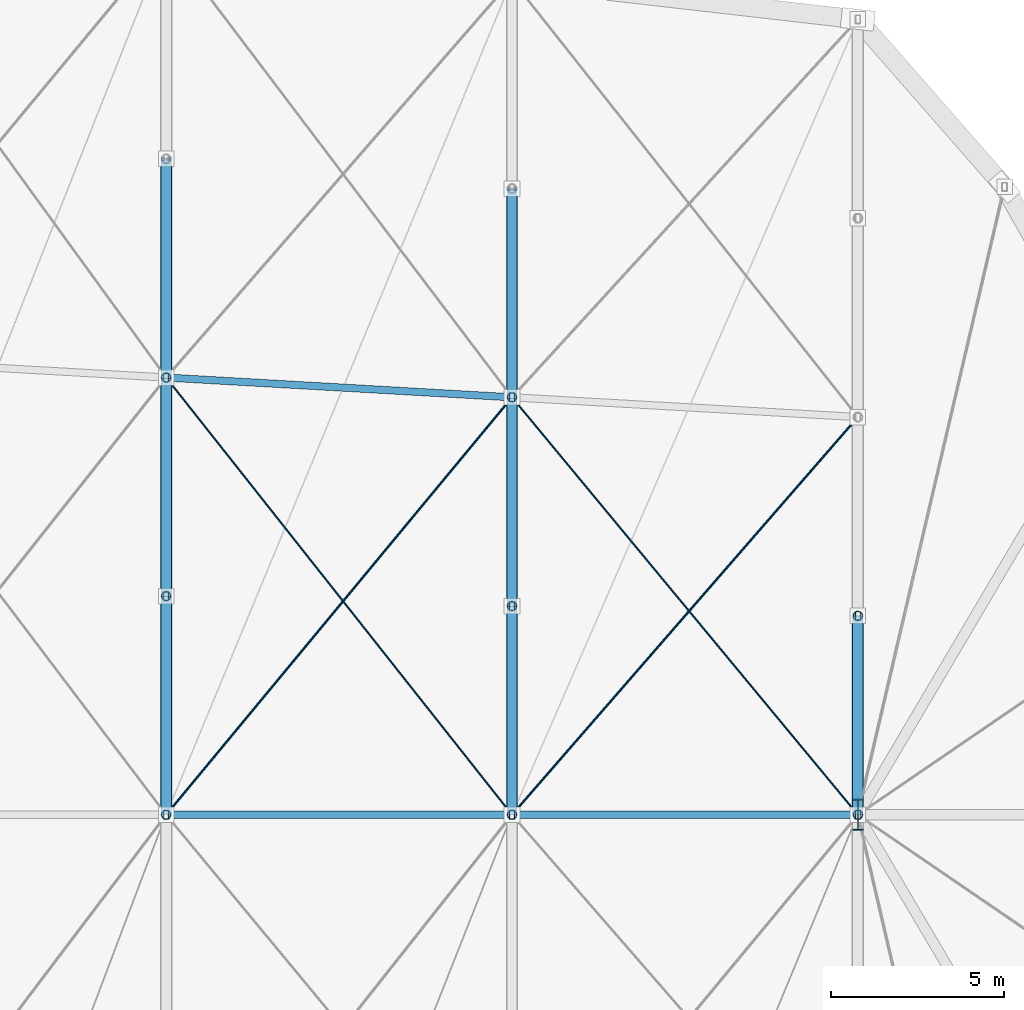
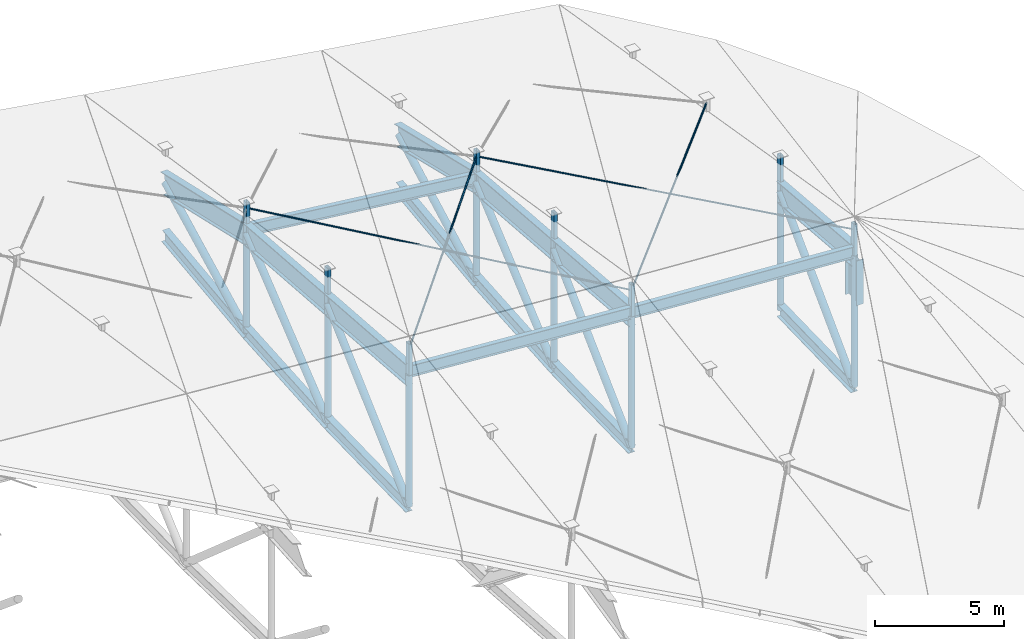
# One storey, part 30 of 68: 27 members, 18 beams.
"""IFC4 building model written with IfcOpenShell, lengths in metres."""

from ifc_helpers import new_model, si_unit, direction, frame, origin, origin_2d, place, context, subcontext, project, spatial, hollow_rectangle, circle, hollow_circle, i_section, extrude, material, material_profile, profile_set, type_object, element, save


model = new_model("IFC4")

# Units and contexts
model_context = context("Model", 3, precision=1e-05, world=origin(), true_north=direction((0.0, 1.0)))
body_context = subcontext(model_context, "Body", "Model", "MODEL_VIEW")
ifc_project = project(units=[si_unit("LENGTHUNIT", "METRE"), si_unit("AREAUNIT", "SQUARE_METRE"), si_unit("VOLUMEUNIT", "CUBIC_METRE"), si_unit("PLANEANGLEUNIT", "RADIAN"), si_unit("MASSUNIT", "GRAM", prefix="KILO")], contexts=[model_context])

# Site, building, storey
site_placement = place(None, origin())
site = spatial("IfcSite", under=ifc_project, at=site_placement, CompositionType="ELEMENT")
building_placement = place(site_placement, origin())
building = spatial("IfcBuilding", under=site, at=building_placement, Name="Sohan Crest Arena", CompositionType="ELEMENT")
storey_placement = place(building_placement, frame((0.0, 0.0, 27.0)))
storey = spatial("IfcBuildingStorey", under=building, at=storey_placement, Name="RF", CompositionType="ELEMENT", Elevation=27.0)

# Beams
ifc_material_1 = material(Name="Steel S355", Category="steel")
ifc_material_profile_1 = material_profile(ifc_material_1, i_section(OverallWidth=0.2099609375, OverallDepth=0.550048828125, WebThickness=0.010986328125, FlangeThickness=0.01708984375, at=origin_2d()), Name="IPE 550")
ifc_profile_set_1 = profile_set([ifc_material_profile_1], Name="Steel S355")
beam_type_1 = type_object("IfcBeamType", Name="STR-BM-B06", PredefinedType="BEAM", material=ifc_profile_set_1)
beam_1_placement = place(storey_placement, frame((148.0, 78.0, 1.202880859375), z_axis=(0.99752526217, 0.0, -0.070308970505), x_axis=(0.0, 1.0, 0.0)))
element("IfcBeam", 1, at=beam_1_placement, inside=storey, type_object=beam_type_1, Name="Structural beam RP-RF-3160", PredefinedType="BEAM", context=body_context, shape_type="SweptSolid", body=[
    extrude(i_section(OverallWidth=0.2099609375, OverallDepth=0.550048828125, WebThickness=0.010986328125, FlangeThickness=0.01708984375, at=origin_2d()), origin(), (0.0, 0.0, 1.0), 10.02490234375),
])
beam_2_placement = place(storey_placement, frame((148.0, 90.64306640625, 0.240966796875), z_axis=(0.995902297445, -0.056870494964, -0.07031614854), x_axis=(0.057011612604, 0.998373515288, 0.0)))
element("IfcBeam", 2, at=beam_2_placement, inside=storey, type_object=beam_type_1, Name="Structural beam RP-RF-3161", PredefinedType="BEAM", context=body_context, shape_type="SweptSolid", body=[
    extrude(i_section(OverallWidth=0.2099609375, OverallDepth=0.550048828125, WebThickness=0.010986328125, FlangeThickness=0.01708984375, at=origin_2d()), origin(), (0.0, 0.0, 1.0), 10.041259765625),
])
beam_3_placement = place(storey_placement, frame((158.0, 78.0, 0.498046875), z_axis=(0.998088817356, 0.0, -0.061795733418), x_axis=(0.0, 1.0, 0.0)))
element("IfcBeam", 3, at=beam_3_placement, inside=storey, type_object=beam_type_1, Name="Structural beam RP-RF-3163", PredefinedType="BEAM", context=body_context, shape_type="SweptSolid", body=[
    extrude(i_section(OverallWidth=0.2099609375, OverallDepth=0.550048828125, WebThickness=0.010986328125, FlangeThickness=0.01708984375, at=origin_2d()), origin(), (0.0, 0.0, 1.0), 10.01904296875),
])
ifc_material_profile_2 = material_profile(ifc_material_1, i_section(OverallWidth=0.300048828125, OverallDepth=0.60009765625, WebThickness=0.015380859375, FlangeThickness=0.030029296875, at=origin_2d()), Name="HEB 600")
ifc_profile_set_2 = profile_set([ifc_material_profile_2], Name="Steel S355")
beam_type_2 = type_object("IfcBeamType", Name="STR-BM-B15", PredefinedType="BEAM", material=ifc_profile_set_2)
beam_4_placement = place(storey_placement, frame((148.0, 78.0, -5.20703125), z_axis=(0.0, 0.999718093734, 0.023743063435), x_axis=(-1.0, 0.0, 0.0)))
element("IfcBeam", 4, at=beam_4_placement, inside=storey, type_object=beam_type_2, Name="Structural beam RAB-RF-3105", PredefinedType="BEAM", context=body_context, shape_type="SweptSolid", body=[
    extrude(i_section(OverallWidth=0.300048828125, OverallDepth=0.60009765625, WebThickness=0.015380859375, FlangeThickness=0.030029296875, at=origin_2d()), origin(), (0.0, 0.0, 1.0), 6.32373046875),
])
beam_5_placement = place(storey_placement, frame((148.0, 84.322021484375, -5.056884765625), z_axis=(0.0, 0.997476075204, 0.071003375945), x_axis=(-1.0, 0.0, 0.0)))
element("IfcBeam", 5, at=beam_5_placement, inside=storey, type_object=beam_type_2, Name="Structural beam RAB-RF-3107", PredefinedType="BEAM", context=body_context, shape_type="SweptSolid", body=[
    extrude(i_section(OverallWidth=0.300048828125, OverallDepth=0.60009765625, WebThickness=0.015380859375, FlangeThickness=0.030029296875, at=origin_2d()), origin(), (0.0, 0.0, 1.0), 6.337158203125),
])
beam_6_placement = place(storey_placement, frame((148.0, 90.64306640625, -4.60693359375), z_axis=(0.0, 0.993036528828, 0.117806843659), x_axis=(-1.0, 0.0, 0.0)))
element("IfcBeam", 6, at=beam_6_placement, inside=storey, type_object=beam_type_2, Name="Structural beam RAB-RF-3109", PredefinedType="BEAM", context=body_context, shape_type="SweptSolid", body=[
    extrude(i_section(OverallWidth=0.300048828125, OverallDepth=0.60009765625, WebThickness=0.015380859375, FlangeThickness=0.030029296875, at=origin_2d()), origin(), (0.0, 0.0, 1.0), 6.366455078125),
])
beam_7_placement = place(storey_placement, frame((158.0, 78.0, -5.912109375), z_axis=(0.0, 0.999690745235, 0.024867928986), x_axis=(-1.0, 0.0, 0.0)))
element("IfcBeam", 7, at=beam_7_placement, inside=storey, type_object=beam_type_2, Name="Structural beam RAB-RF-3121", PredefinedType="BEAM", context=body_context, shape_type="SweptSolid", body=[
    extrude(i_section(OverallWidth=0.300048828125, OverallDepth=0.60009765625, WebThickness=0.015380859375, FlangeThickness=0.030029296875, at=origin_2d()), origin(), (0.0, 0.0, 1.0), 6.037841796875),
])
beam_8_placement = place(storey_placement, frame((158.0, 84.035888671875, -5.761962890625), z_axis=(0.0, 0.997233199276, 0.074336708715), x_axis=(-1.0, 0.0, 0.0)))
element("IfcBeam", 8, at=beam_8_placement, inside=storey, type_object=beam_type_2, Name="Structural beam RAB-RF-3123", PredefinedType="BEAM", context=body_context, shape_type="SweptSolid", body=[
    extrude(i_section(OverallWidth=0.300048828125, OverallDepth=0.60009765625, WebThickness=0.015380859375, FlangeThickness=0.030029296875, at=origin_2d()), origin(), (0.0, 0.0, 1.0), 6.052978515625),
])
beam_9_placement = place(storey_placement, frame((158.0, 90.072021484375, -5.31201171875), z_axis=(0.0, 0.992365946083, 0.1233281357), x_axis=(-1.0, 0.0, 0.0)))
element("IfcBeam", 9, at=beam_9_placement, inside=storey, type_object=beam_type_2, Name="Structural beam RAB-RF-3125", PredefinedType="BEAM", context=body_context, shape_type="SweptSolid", body=[
    extrude(i_section(OverallWidth=0.300048828125, OverallDepth=0.60009765625, WebThickness=0.015380859375, FlangeThickness=0.030029296875, at=origin_2d()), origin(), (0.0, 0.0, 1.0), 6.081298828125),
])
beam_10_placement = place(storey_placement, frame((168.0, 78.0, -6.531005859375), z_axis=(0.0, 0.999660351379, 0.026061118196), x_axis=(-1.0, 0.0, 0.0)))
element("IfcBeam", 10, at=beam_10_placement, inside=storey, type_object=beam_type_2, Name="Structural beam RAB-RF-3137", PredefinedType="BEAM", context=body_context, shape_type="SweptSolid", body=[
    extrude(i_section(OverallWidth=0.300048828125, OverallDepth=0.60009765625, WebThickness=0.015380859375, FlangeThickness=0.030029296875, at=origin_2d()), origin(), (0.0, 0.0, 1.0), 5.751953125),
])
ifc_material_profile_3 = material_profile(ifc_material_1, i_section(OverallWidth=0.300048828125, OverallDepth=0.89990234375, WebThickness=0.0185546875, FlangeThickness=0.034912109375, at=origin_2d()), Name="HEB 900")
ifc_profile_set_3 = profile_set([ifc_material_profile_3], Name="Steel S355")
beam_type_3 = type_object("IfcBeamType", Name="STR-BM-B18", PredefinedType="BEAM", material=ifc_profile_set_3)
beam_11_placement = place(storey_placement, frame((168.0, 78.0, -0.281005859375), z_axis=(0.0, 0.0, -1.0), x_axis=(1.0, 0.0, 0.0)))
element("IfcBeam", 11, at=beam_11_placement, inside=storey, type_object=beam_type_3, Name="Structural beam RP-RF-3166", PredefinedType="BEAM", context=body_context, shape_type="SweptSolid", body=[
    extrude(i_section(OverallWidth=0.300048828125, OverallDepth=0.89990234375, WebThickness=0.0185546875, FlangeThickness=0.034912109375, at=origin_2d()), origin(), (0.0, 0.0, 1.0), 2.1240234375),
])
ifc_material_profile_4 = material_profile(ifc_material_1, i_section(OverallWidth=0.300048828125, OverallDepth=1.0, WebThickness=0.01904296875, FlangeThickness=0.035888671875, at=origin_2d()), Name="HEB 1000")
ifc_profile_set_4 = profile_set([ifc_material_profile_4], Name="Steel S355")
beam_type_4 = type_object("IfcBeamType", Name="STR-BM-B19", PredefinedType="BEAM", material=ifc_profile_set_4)
beam_12_placement = place(storey_placement, frame((148.0, 78.0, 1.04296875), z_axis=(0.0, 0.997118686878, -0.075857262528), x_axis=(-1.0, 0.0, 0.0)))
element("IfcBeam", 12, at=beam_12_placement, inside=storey, type_object=beam_type_4, Name="Structural beam RA-RF-3104", PredefinedType="BEAM", context=body_context, shape_type="SweptSolid", body=[
    extrude(i_section(OverallWidth=0.300048828125, OverallDepth=1.0, WebThickness=0.01904296875, FlangeThickness=0.035888671875, at=origin_2d()), origin(), (0.0, 0.0, 1.0), 6.34033203125),
])
beam_13_placement = place(storey_placement, frame((148.0, 84.322021484375, 0.56201171875), z_axis=(0.0, 0.997117800365, -0.075868914554), x_axis=(-1.0, 0.0, 0.0)))
element("IfcBeam", 13, at=beam_13_placement, inside=storey, type_object=beam_type_4, Name="Structural beam RA-RF-3106", PredefinedType="BEAM", context=body_context, shape_type="SweptSolid", body=[
    extrude(i_section(OverallWidth=0.300048828125, OverallDepth=1.0, WebThickness=0.01904296875, FlangeThickness=0.035888671875, at=origin_2d()), origin(), (0.0, 0.0, 1.0), 6.33935546875),
])
beam_14_placement = place(storey_placement, frame((148.0, 90.64306640625, 0.0810546875), z_axis=(0.0, 0.974890040353, -0.222686796242), x_axis=(-1.0, 0.0, 0.0)))
element("IfcBeam", 14, at=beam_14_placement, inside=storey, type_object=beam_type_4, Name="Structural beam RA-RF-3108", PredefinedType="BEAM", context=body_context, shape_type="SweptSolid", body=[
    extrude(i_section(OverallWidth=0.300048828125, OverallDepth=1.0, WebThickness=0.01904296875, FlangeThickness=0.035888671875, at=origin_2d()), origin(), (0.0, 0.0, 1.0), 6.48486328125),
])
beam_15_placement = place(storey_placement, frame((158.0, 78.0, 0.337890625), z_axis=(0.0, 0.996840357161, -0.07943111692), x_axis=(-1.0, 0.0, 0.0)))
element("IfcBeam", 15, at=beam_15_placement, inside=storey, type_object=beam_type_4, Name="Structural beam RA-RF-3120", PredefinedType="BEAM", context=body_context, shape_type="SweptSolid", body=[
    extrude(i_section(OverallWidth=0.300048828125, OverallDepth=1.0, WebThickness=0.01904296875, FlangeThickness=0.035888671875, at=origin_2d()), origin(), (0.0, 0.0, 1.0), 6.054931640625),
])
beam_16_placement = place(storey_placement, frame((158.0, 84.035888671875, -0.14306640625), z_axis=(0.0, 0.996827829556, -0.079588178917), x_axis=(-1.0, 0.0, 0.0)))
element("IfcBeam", 16, at=beam_16_placement, inside=storey, type_object=beam_type_4, Name="Structural beam RA-RF-3122", PredefinedType="BEAM", context=body_context, shape_type="SweptSolid", body=[
    extrude(i_section(OverallWidth=0.300048828125, OverallDepth=1.0, WebThickness=0.01904296875, FlangeThickness=0.035888671875, at=origin_2d()), origin(), (0.0, 0.0, 1.0), 6.055419921875),
])
beam_17_placement = place(storey_placement, frame((158.0, 90.072021484375, -0.625), z_axis=(0.0, 0.972552384533, -0.232684033269), x_axis=(-1.0, 0.0, 0.0)))
element("IfcBeam", 17, at=beam_17_placement, inside=storey, type_object=beam_type_4, Name="Structural beam RA-RF-3124", PredefinedType="BEAM", context=body_context, shape_type="SweptSolid", body=[
    extrude(i_section(OverallWidth=0.300048828125, OverallDepth=1.0, WebThickness=0.01904296875, FlangeThickness=0.035888671875, at=origin_2d()), origin(), (0.0, 0.0, 1.0), 6.206298828125),
])
beam_18_placement = place(storey_placement, frame((168.0, 78.0, -0.281005859375), z_axis=(0.0, 0.996520031911, -0.083353620196), x_axis=(-1.0, 0.0, 0.0)))
element("IfcBeam", 18, at=beam_18_placement, inside=storey, type_object=beam_type_4, Name="Structural beam RA-RF-3136", PredefinedType="BEAM", context=body_context, shape_type="SweptSolid", body=[
    extrude(i_section(OverallWidth=0.300048828125, OverallDepth=1.0, WebThickness=0.01904296875, FlangeThickness=0.035888671875, at=origin_2d()), origin(), (0.0, 0.0, 1.0), 5.77001953125),
])

# Members
ifc_material_profile_5 = material_profile(ifc_material_1, hollow_circle(Radius=0.136474609375, WallThickness=0.012451171875, at=origin_2d()), Name="CHS 273x12.5")
ifc_profile_set_5 = profile_set([ifc_material_profile_5], Name="Steel S355")
member_type_1 = type_object("IfcMemberType", Name="STR-MEM-BR02", PredefinedType="BRACE", material=ifc_profile_set_5)
member_1_placement = place(storey_placement, frame((148.0, 78.0, -5.20703125), z_axis=(0.0, 0.0, 1.0), x_axis=(1.0, 0.0, 0.0)))
element("IfcMember", 19, at=member_1_placement, inside=storey, type_object=member_type_1, Name="Lenticular roof truss web strut TW-197", PredefinedType="BRACE", context=body_context, shape_type="SweptSolid", body=[
    extrude(hollow_circle(Radius=0.136474609375, WallThickness=0.012451171875, at=origin_2d()), origin(), (0.0, 0.0, 1.0), 6.25),
])
member_2_placement = place(storey_placement, frame((148.0, 84.322021484375, -5.056884765625), z_axis=(0.0, 0.0, 1.0), x_axis=(1.0, 0.0, 0.0)))
element("IfcMember", 20, at=member_2_placement, inside=storey, type_object=member_type_1, Name="Lenticular roof truss web strut TW-199", PredefinedType="BRACE", context=body_context, shape_type="SweptSolid", body=[
    extrude(hollow_circle(Radius=0.136474609375, WallThickness=0.012451171875, at=origin_2d()), origin(), (0.0, 0.0, 1.0), 5.618896484375),
])
member_3_placement = place(storey_placement, frame((148.0, 90.64306640625, -4.60693359375), z_axis=(0.0, 0.0, 1.0), x_axis=(1.0, 0.0, 0.0)))
element("IfcMember", 21, at=member_3_placement, inside=storey, type_object=member_type_1, Name="Lenticular roof truss web strut TW-201", PredefinedType="BRACE", context=body_context, shape_type="SweptSolid", body=[
    extrude(hollow_circle(Radius=0.136474609375, WallThickness=0.012451171875, at=origin_2d()), origin(), (0.0, 0.0, 1.0), 4.68798828125),
])
member_4_placement = place(storey_placement, frame((158.0, 78.0, -5.912109375), z_axis=(0.0, 0.0, 1.0), x_axis=(1.0, 0.0, 0.0)))
element("IfcMember", 22, at=member_4_placement, inside=storey, type_object=member_type_1, Name="Lenticular roof truss web strut TW-221", PredefinedType="BRACE", context=body_context, shape_type="SweptSolid", body=[
    extrude(hollow_circle(Radius=0.136474609375, WallThickness=0.012451171875, at=origin_2d()), origin(), (0.0, 0.0, 1.0), 6.25),
])
member_5_placement = place(storey_placement, frame((158.0, 84.035888671875, -5.761962890625), z_axis=(0.0, 0.0, 1.0), x_axis=(1.0, 0.0, 0.0)))
element("IfcMember", 23, at=member_5_placement, inside=storey, type_object=member_type_1, Name="Lenticular roof truss web strut TW-223", PredefinedType="BRACE", context=body_context, shape_type="SweptSolid", body=[
    extrude(hollow_circle(Radius=0.136474609375, WallThickness=0.012451171875, at=origin_2d()), origin(), (0.0, 0.0, 1.0), 5.618896484375),
])
member_6_placement = place(storey_placement, frame((158.0, 90.072021484375, -5.31201171875), z_axis=(0.0, 0.0, 1.0), x_axis=(1.0, 0.0, 0.0)))
element("IfcMember", 24, at=member_6_placement, inside=storey, type_object=member_type_1, Name="Lenticular roof truss web strut TW-225", PredefinedType="BRACE", context=body_context, shape_type="SweptSolid", body=[
    extrude(hollow_circle(Radius=0.136474609375, WallThickness=0.012451171875, at=origin_2d()), origin(), (0.0, 0.0, 1.0), 4.68701171875),
])
member_7_placement = place(storey_placement, frame((168.0, 78.0, -6.531005859375), z_axis=(0.0, 0.0, 1.0), x_axis=(1.0, 0.0, 0.0)))
element("IfcMember", 25, at=member_7_placement, inside=storey, type_object=member_type_1, Name="Lenticular roof truss web strut TW-245", PredefinedType="BRACE", context=body_context, shape_type="SweptSolid", body=[
    extrude(hollow_circle(Radius=0.136474609375, WallThickness=0.012451171875, at=origin_2d()), origin(), (0.0, 0.0, 1.0), 6.25),
])
member_8_placement = place(storey_placement, frame((168.0, 83.75, -6.381103515625), z_axis=(0.0, 0.0, 1.0), x_axis=(1.0, 0.0, 0.0)))
element("IfcMember", 26, at=member_8_placement, inside=storey, type_object=member_type_1, Name="Lenticular roof truss web strut TW-247", PredefinedType="BRACE", context=body_context, shape_type="SweptSolid", body=[
    extrude(hollow_circle(Radius=0.136474609375, WallThickness=0.012451171875, at=origin_2d()), origin(), (0.0, 0.0, 1.0), 5.619140625),
])
ifc_material_profile_6 = material_profile(ifc_material_1, hollow_circle(Radius=0.161865234375, WallThickness=0.012451171875, at=origin_2d()), Name="CHS 323.9x12.5")
ifc_profile_set_6 = profile_set([ifc_material_profile_6], Name="Steel S355")
member_type_2 = type_object("IfcMemberType", Name="STR-MEM-BR03", PredefinedType="BRACE", material=ifc_profile_set_6)
member_9_placement = place(storey_placement, frame((148.0, 78.0, -5.20703125), z_axis=(0.0, 0.738673823167, 0.674063040797), x_axis=(-1.0, 0.0, 0.0)))
element("IfcMember", 27, at=member_9_placement, inside=storey, type_object=member_type_2, Name="Lenticular roof truss web diagonal TD-198", PredefinedType="BRACE", context=body_context, shape_type="SweptSolid", body=[
    extrude(hollow_circle(Radius=0.161865234375, WallThickness=0.012451171875, at=origin_2d()), origin(), (0.0, 0.0, 1.0), 8.55859375),
])
member_10_placement = place(storey_placement, frame((148.0, 84.322021484375, -5.056884765625), z_axis=(0.0, 0.775988387109, 0.630747194264), x_axis=(-1.0, 0.0, 0.0)))
element("IfcMember", 28, at=member_10_placement, inside=storey, type_object=member_type_2, Name="Lenticular roof truss web diagonal TD-200", PredefinedType="BRACE", context=body_context, shape_type="SweptSolid", body=[
    extrude(hollow_circle(Radius=0.161865234375, WallThickness=0.012451171875, at=origin_2d()), origin(), (0.0, 0.0, 1.0), 8.145751953125),
])
member_11_placement = place(storey_placement, frame((148.0, 90.64306640625, -4.60693359375), z_axis=(0.0, 0.88971262901, 0.456521015704), x_axis=(-1.0, 0.0, 0.0)))
element("IfcMember", 29, at=member_11_placement, inside=storey, type_object=member_type_2, Name="Lenticular roof truss web diagonal TD-202", PredefinedType="BRACE", context=body_context, shape_type="SweptSolid", body=[
    extrude(hollow_circle(Radius=0.161865234375, WallThickness=0.012451171875, at=origin_2d()), origin(), (0.0, 0.0, 1.0), 7.105712890625),
])
member_12_placement = place(storey_placement, frame((158.0, 78.0, -5.912109375), z_axis=(0.0, 0.722905976633, 0.690946415396), x_axis=(-1.0, 0.0, 0.0)))
element("IfcMember", 30, at=member_12_placement, inside=storey, type_object=member_type_2, Name="Lenticular roof truss web diagonal TD-222", PredefinedType="BRACE", context=body_context, shape_type="SweptSolid", body=[
    extrude(hollow_circle(Radius=0.161865234375, WallThickness=0.012451171875, at=origin_2d()), origin(), (0.0, 0.0, 1.0), 8.349365234375),
])
member_13_placement = place(storey_placement, frame((158.0, 84.035888671875, -5.761962890625), z_axis=(0.0, 0.761550063973, 0.648106087043), x_axis=(-1.0, 0.0, 0.0)))
element("IfcMember", 31, at=member_13_placement, inside=storey, type_object=member_type_2, Name="Lenticular roof truss web diagonal TD-224", PredefinedType="BRACE", context=body_context, shape_type="SweptSolid", body=[
    extrude(hollow_circle(Radius=0.161865234375, WallThickness=0.012451171875, at=origin_2d()), origin(), (0.0, 0.0, 1.0), 7.926025390625),
])
member_14_placement = place(storey_placement, frame((158.0, 90.072021484375, -5.31201171875), z_axis=(0.0, 0.88090777888, 0.473287951578), x_axis=(-1.0, 0.0, 0.0)))
element("IfcMember", 32, at=member_14_placement, inside=storey, type_object=member_type_2, Name="Lenticular roof truss web diagonal TD-226", PredefinedType="BRACE", context=body_context, shape_type="SweptSolid", body=[
    extrude(hollow_circle(Radius=0.161865234375, WallThickness=0.012451171875, at=origin_2d()), origin(), (0.0, 0.0, 1.0), 6.851806640625),
])
member_15_placement = place(storey_placement, frame((168.0, 78.0, -6.531005859375), z_axis=(0.0, 0.70593684682, 0.708274783048), x_axis=(-1.0, 0.0, 0.0)))
element("IfcMember", 33, at=member_15_placement, inside=storey, type_object=member_type_2, Name="Lenticular roof truss web diagonal TD-246", PredefinedType="BRACE", context=body_context, shape_type="SweptSolid", body=[
    extrude(hollow_circle(Radius=0.161865234375, WallThickness=0.012451171875, at=origin_2d()), origin(), (0.0, 0.0, 1.0), 8.145263671875),
])
ifc_material_2 = material(Name="Steel S460", Category="steel")
ifc_material_profile_7 = material_profile(ifc_material_2, circle(Radius=0.031982421875, at=origin_2d()), Name="FLC D64")
ifc_profile_set_7 = profile_set([ifc_material_profile_7], Name="Steel S460")
member_type_3 = type_object("IfcMemberType", Name="STR-MEM-CB01", PredefinedType="USERDEFINED", material=ifc_profile_set_7)
member_16_placement = place(storey_placement, frame((148.0, 78.0, 2.222900390625), z_axis=(0.634341285156, 0.765778162283, -0.105806144047), x_axis=(-0.770100911356, 0.637922084841, 0.0)))
element("IfcMember", 34, at=member_16_placement, inside=storey, type_object=member_type_3, Name="Full-locked-coil roof cable CB-045", ObjectType="CABLE", PredefinedType="USERDEFINED", context=body_context, shape_type="SweptSolid", body=[
    extrude(circle(Radius=0.031982421875, at=origin_2d()), origin(), (0.0, 0.0, 1.0), 15.764404296875),
])
member_17_placement = place(storey_placement, frame((158.0, 78.0, 1.51806640625), z_axis=(0.65267140898, 0.750572120327, -0.103254656499), x_axis=(-0.754605522164, 0.656178714925, 0.0)))
element("IfcMember", 35, at=member_17_placement, inside=storey, type_object=member_type_3, Name="Full-locked-coil roof cable CB-053", ObjectType="CABLE", PredefinedType="USERDEFINED", context=body_context, shape_type="SweptSolid", body=[
    extrude(circle(Radius=0.031982421875, at=origin_2d()), origin(), (0.0, 0.0, 1.0), 15.321533203125),
])
ifc_material_profile_8 = material_profile(ifc_material_2, circle(Radius=0.02587890625, at=origin_2d()), Name="FLC D52")
ifc_profile_set_8 = profile_set([ifc_material_profile_8], Name="Steel S460")
member_type_4 = type_object("IfcMemberType", Name="STR-MEM-CB02", PredefinedType="USERDEFINED", material=ifc_profile_set_8)
member_18_placement = place(storey_placement, frame((148.0, 90.64306640625, 1.260986328125), z_axis=(0.620277198312, -0.784220580854, 0.01594609106), x_axis=(0.784320304822, 0.620356074721, 0.0)))
element("IfcMember", 36, at=member_18_placement, inside=storey, type_object=member_type_4, Name="Full-locked-coil roof cable CB-046", ObjectType="CABLE", PredefinedType="USERDEFINED", context=body_context, shape_type="SweptSolid", body=[
    extrude(circle(Radius=0.02587890625, at=origin_2d()), origin(), (0.0, 0.0, 1.0), 16.121826171875),
])
member_19_placement = place(storey_placement, frame((158.0, 90.072021484375, 0.554931640625), z_axis=(0.637768546023, -0.769915558965, 0.021938864291), x_axis=(0.770100911356, 0.637922084841, 0.0)))
element("IfcMember", 37, at=member_19_placement, inside=storey, type_object=member_type_4, Name="Full-locked-coil roof cable CB-054", ObjectType="CABLE", PredefinedType="USERDEFINED", context=body_context, shape_type="SweptSolid", body=[
    extrude(circle(Radius=0.02587890625, at=origin_2d()), origin(), (0.0, 0.0, 1.0), 15.6796875),
])
ifc_material_profile_9 = material_profile(ifc_material_1, hollow_rectangle(XDim=0.14990234375, YDim=0.25, WallThickness=0.010009765625, at=origin_2d()), Name="RHS 250x150x10")
ifc_profile_set_9 = profile_set([ifc_material_profile_9], Name="Steel S355")
member_type_5 = type_object("IfcMemberType", Name="STR-MEM-CH02", PredefinedType="CHORD", material=ifc_profile_set_9)
member_20_placement = place(storey_placement, frame((148.0, 78.0, 1.04296875), z_axis=(0.0, 0.0, 1.0), x_axis=(1.0, 0.0, 0.0)))
element("IfcMember", 38, at=member_20_placement, inside=storey, type_object=member_type_5, Name="Roof deck bearing saddle chord RSP-185", PredefinedType="CHORD", context=body_context, shape_type="SweptSolid", body=[
    extrude(hollow_rectangle(XDim=0.14990234375, YDim=0.25, WallThickness=0.010009765625, at=origin_2d()), origin(), (0.0, 0.0, 1.0), 1.489990234375),
])
member_21_placement = place(storey_placement, frame((148.0, 84.322021484375, 0.56201171875), z_axis=(0.0, 0.0, 1.0), x_axis=(1.0, 0.0, 0.0)))
element("IfcMember", 39, at=member_21_placement, inside=storey, type_object=member_type_5, Name="Roof deck bearing saddle chord RSP-186", PredefinedType="CHORD", context=body_context, shape_type="SweptSolid", body=[
    extrude(hollow_rectangle(XDim=0.14990234375, YDim=0.25, WallThickness=0.010009765625, at=origin_2d()), origin(), (0.0, 0.0, 1.0), 1.72998046875),
])
for number, where, z_axis, x_axis, name in (
    (40, (148.0, 90.64306640625, 0.0810546875), (0.0, 0.0, 1.0), (1.0, 0.0, 0.0), "Roof deck bearing saddle chord RSP-187"),
    (41, (158.0, 78.0, 0.337890625), (0.0, 0.0, 1.0), (1.0, 0.0, 0.0), "Roof deck bearing saddle chord RSP-209"),
):
    element("IfcMember", number, at=place(storey_placement, frame(where, z_axis=z_axis, x_axis=x_axis)), inside=storey, type_object=member_type_5, Name=name, PredefinedType="CHORD", context=body_context, shape_type="SweptSolid", body=[
        extrude(hollow_rectangle(XDim=0.14990234375, YDim=0.25, WallThickness=0.010009765625, at=origin_2d()), origin(), (0.0, 0.0, 1.0), 1.489990234375),
    ])
member_22_placement = place(storey_placement, frame((158.0, 84.035888671875, -0.14306640625), z_axis=(0.0, 0.0, 1.0), x_axis=(1.0, 0.0, 0.0)))
element("IfcMember", 42, at=member_22_placement, inside=storey, type_object=member_type_5, Name="Roof deck bearing saddle chord RSP-210", PredefinedType="CHORD", context=body_context, shape_type="SweptSolid", body=[
    extrude(hollow_rectangle(XDim=0.14990234375, YDim=0.25, WallThickness=0.010009765625, at=origin_2d()), origin(), (0.0, 0.0, 1.0), 1.72998046875),
])
for number, where, z_axis, x_axis, name in (
    (43, (158.0, 90.072021484375, -0.625), (0.0, 0.0, 1.0), (1.0, 0.0, 0.0), "Roof deck bearing saddle chord RSP-211"),
    (44, (168.0, 78.0, -0.281005859375), (0.0, 0.0, 1.0), (1.0, 0.0, 0.0), "Roof deck bearing saddle chord RSP-233"),
):
    element("IfcMember", number, at=place(storey_placement, frame(where, z_axis=z_axis, x_axis=x_axis)), inside=storey, type_object=member_type_5, Name=name, PredefinedType="CHORD", context=body_context, shape_type="SweptSolid", body=[
        extrude(hollow_rectangle(XDim=0.14990234375, YDim=0.25, WallThickness=0.010009765625, at=origin_2d()), origin(), (0.0, 0.0, 1.0), 1.489990234375),
    ])
member_23_placement = place(storey_placement, frame((168.0, 83.75, -0.761962890625), z_axis=(0.0, 0.0, 1.0), x_axis=(1.0, 0.0, 0.0)))
element("IfcMember", 45, at=member_23_placement, inside=storey, type_object=member_type_5, Name="Roof deck bearing saddle chord RSP-234", PredefinedType="CHORD", context=body_context, shape_type="SweptSolid", body=[
    extrude(hollow_rectangle(XDim=0.14990234375, YDim=0.25, WallThickness=0.010009765625, at=origin_2d()), origin(), (0.0, 0.0, 1.0), 1.72998046875),
])

save(model, "model.ifc")
